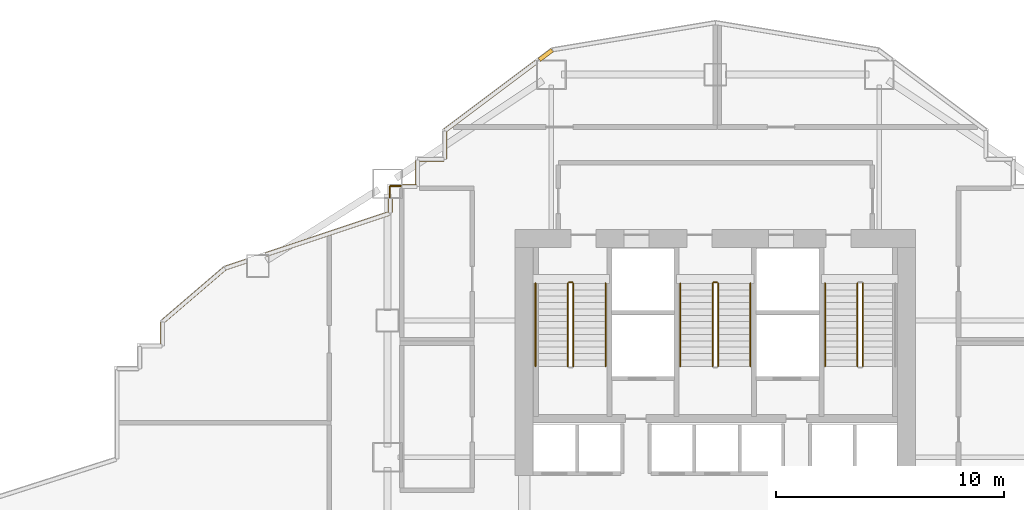
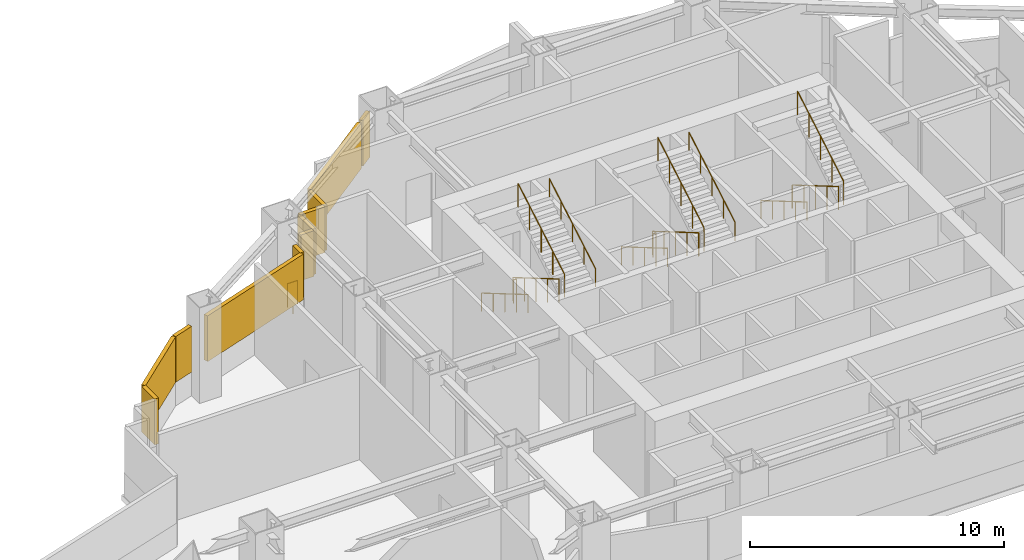
# One storey, part 10 of 12: 15 railings, 11 shading devices.
"""IFC4 building model written with IfcOpenShell, lengths in metres."""

from ifc_helpers import new_model, si_unit, direction, frame, origin, origin_2d, place, context, subcontext, project, spatial, rectangle, circle, extrude, material, type_object, element, save


model = new_model("IFC4")

# Units and contexts
model_context = context("Model", 3, precision=1e-05, world=origin(), true_north=direction((0.0, 1.0)))
body_context = subcontext(model_context, "Body", "Model", "MODEL_VIEW")
ifc_project = project(units=[si_unit("LENGTHUNIT", "METRE"), si_unit("AREAUNIT", "SQUARE_METRE"), si_unit("VOLUMEUNIT", "CUBIC_METRE"), si_unit("PLANEANGLEUNIT", "RADIAN"), si_unit("MASSUNIT", "GRAM", prefix="KILO")], contexts=[model_context])

# Site, building, storey
site_placement = place(None, origin())
site = spatial("IfcSite", under=ifc_project, at=site_placement, CompositionType="ELEMENT")
building_placement = place(site_placement, origin())
building = spatial("IfcBuilding", under=site, at=building_placement, Name="Haolan Belvedere Tower", CompositionType="ELEMENT")
storey_placement = place(building_placement, frame((0.0, 0.0, 43.0)))
storey = spatial("IfcBuildingStorey", under=building, at=storey_placement, Name="L10", CompositionType="ELEMENT", Elevation=43.0)

# Railings
ifc_material_1 = material(Name="Galvanised powder-coated steel guardrail", Category="steel")
railing_type_1 = type_object("IfcRailingType", Name="RL-REF-GRD-1150", PredefinedType="GUARDRAIL", material=ifc_material_1)
railing_1_placement = place(storey_placement, frame((24.090087890625, 45.010009765625, 0.0)))
element("IfcRailing", 1, at=railing_1_placement, inside=storey, type_object=railing_type_1, Name="L10 refuge corner safety guardrail 10A", PredefinedType="GUARDRAIL", context=body_context, shape_type="SweptSolid", body=[
    extrude(circle(Radius=0.02392578125, at=origin_2d()), frame((0.0, 0.0, 1.1259765625), z_axis=(0.0, 1.0, 0.0), x_axis=(-1.0, 0.0, 0.0)), (0.0, 0.0, 1.0), 0.469970703125),
    extrude(circle(Radius=0.02099609375, at=origin_2d()), origin(), (0.0, 0.0, 1.0), 1.101806640625),
    extrude(circle(Radius=0.02099609375, at=origin_2d()), frame((0.0, 0.469970703125, 0.0)), (0.0, 0.0, 1.0), 1.101806640625),
])
railing_2_placement = place(storey_placement, frame((24.1201171875, 45.510009765625, 0.0)))
element("IfcRailing", 2, at=railing_2_placement, inside=storey, type_object=railing_type_1, Name="L10 refuge corner safety guardrail 10B", PredefinedType="GUARDRAIL", context=body_context, shape_type="SweptSolid", body=[
    extrude(circle(Radius=0.02392578125, at=origin_2d()), frame((0.0, 0.0, 1.1259765625), z_axis=(1.0, 0.0, 0.0), x_axis=(0.0, 1.0, 0.0)), (0.0, 0.0, 1.0), 0.469970703125),
    extrude(circle(Radius=0.02099609375, at=origin_2d()), origin(), (0.0, 0.0, 1.0), 1.101806640625),
    extrude(circle(Radius=0.02099609375, at=origin_2d()), frame((0.469970703125, 0.0, 0.0)), (0.0, 0.0, 1.0), 1.101806640625),
])
ifc_material_2 = material(Name="Brushed stainless steel 304", Category="steel")
railing_type_2 = type_object("IfcRailingType", Name="RL-STAIR-GRD-1150", PredefinedType="GUARDRAIL", material=ifc_material_2)
railing_3_placement = place(storey_placement, frame((31.919921875, 41.22998046875, 0.164306640625)))
element("IfcRailing", 3, at=railing_3_placement, inside=storey, type_object=railing_type_2, Name="L10 ST1 stair guard 1", PredefinedType="GUARDRAIL", context=body_context, shape_type="SweptSolid", body=[
    extrude(circle(Radius=0.02392578125, at=origin_2d()), frame((0.0, 0.0, 1.1259765625), z_axis=(0.0, -0.862489892076, 0.506074289079), x_axis=(1.0, 0.0, 0.0)), (0.0, 0.0, 1.0), 4.22021484375),
    extrude(circle(Radius=0.02099609375, at=origin_2d()), origin(), (0.0, 0.0, 1.0), 1.101806640625),
    extrude(circle(Radius=0.02099609375, at=origin_2d()), frame((0.0, -0.909912109375, 0.533935546875)), (0.0, 0.0, 1.0), 1.101806640625),
    extrude(circle(Radius=0.02099609375, at=origin_2d()), frame((0.0, -1.81982421875, 1.06787109375)), (0.0, 0.0, 1.0), 1.101806640625),
    extrude(circle(Radius=0.02099609375, at=origin_2d()), frame((0.0, -2.72998046875, 1.601806640625)), (0.0, 0.0, 1.0), 1.101806640625),
    extrude(circle(Radius=0.02099609375, at=origin_2d()), frame((0.0, -3.639892578125, 2.1357421875)), (0.0, 0.0, 1.0), 1.101806640625),
])
railing_4_placement = place(storey_placement, frame((32.159912109375, 37.590087890625, 2.46435546875)))
element("IfcRailing", 4, at=railing_4_placement, inside=storey, type_object=railing_type_2, Name="L10 ST1 stair guard 3", PredefinedType="GUARDRAIL", context=body_context, shape_type="SweptSolid", body=[
    extrude(circle(Radius=0.02392578125, at=origin_2d()), frame((0.0, 0.0, 1.1259765625), z_axis=(0.0, 0.862489892076, 0.506074289079), x_axis=(-1.0, 0.0, 0.0)), (0.0, 0.0, 1.0), 4.22021484375),
    extrude(circle(Radius=0.02099609375, at=origin_2d()), origin(), (0.0, 0.0, 1.0), 1.101806640625),
    extrude(circle(Radius=0.02099609375, at=origin_2d()), frame((0.0, 0.909912109375, 0.533935546875)), (0.0, 0.0, 1.0), 1.101806640625),
    extrude(circle(Radius=0.02099609375, at=origin_2d()), frame((0.0, 1.81982421875, 1.06787109375)), (0.0, 0.0, 1.0), 1.101806640625),
    extrude(circle(Radius=0.02099609375, at=origin_2d()), frame((0.0, 2.72998046875, 1.601806640625)), (0.0, 0.0, 1.0), 1.101806640625),
    extrude(circle(Radius=0.02099609375, at=origin_2d()), frame((0.0, 3.639892578125, 2.1357421875)), (0.0, 0.0, 1.0), 1.101806640625),
])
railing_5_placement = place(storey_placement, frame((31.969970703125, 41.280029296875, 0.0)))
element("IfcRailing", 5, at=railing_5_placement, inside=storey, type_object=railing_type_2, Name="L10 ST1 stair guard 4", PredefinedType="GUARDRAIL", context=body_context, shape_type="SweptSolid", body=[
    extrude(circle(Radius=0.02392578125, at=origin_2d()), frame((0.0, 0.0, 1.1259765625), z_axis=(1.0, 0.0, 0.0), x_axis=(0.0, 1.0, 0.0)), (0.0, 0.0, 1.0), 0.14013671875),
    extrude(circle(Radius=0.02099609375, at=origin_2d()), origin(), (0.0, 0.0, 1.0), 1.101806640625),
    extrude(circle(Radius=0.02099609375, at=origin_2d()), frame((0.14013671875, 0.0, 0.0)), (0.0, 0.0, 1.0), 1.101806640625),
])
railing_6_placement = place(storey_placement, frame((38.280029296875, 41.22998046875, 0.164306640625)))
element("IfcRailing", 6, at=railing_6_placement, inside=storey, type_object=railing_type_2, Name="L10 ST3 stair guard 1", PredefinedType="GUARDRAIL", context=body_context, shape_type="SweptSolid", body=[
    extrude(circle(Radius=0.02392578125, at=origin_2d()), frame((0.0, 0.0, 1.1259765625), z_axis=(0.0, -0.862489892076, 0.506074289079), x_axis=(1.0, 0.0, 0.0)), (0.0, 0.0, 1.0), 4.22021484375),
    extrude(circle(Radius=0.02099609375, at=origin_2d()), origin(), (0.0, 0.0, 1.0), 1.101806640625),
    extrude(circle(Radius=0.02099609375, at=origin_2d()), frame((0.0, -0.909912109375, 0.533935546875)), (0.0, 0.0, 1.0), 1.101806640625),
    extrude(circle(Radius=0.02099609375, at=origin_2d()), frame((0.0, -1.81982421875, 1.06787109375)), (0.0, 0.0, 1.0), 1.101806640625),
    extrude(circle(Radius=0.02099609375, at=origin_2d()), frame((0.0, -2.72998046875, 1.601806640625)), (0.0, 0.0, 1.0), 1.101806640625),
    extrude(circle(Radius=0.02099609375, at=origin_2d()), frame((0.0, -3.639892578125, 2.1357421875)), (0.0, 0.0, 1.0), 1.101806640625),
])
railing_7_placement = place(storey_placement, frame((38.52001953125, 37.590087890625, 2.46435546875)))
element("IfcRailing", 7, at=railing_7_placement, inside=storey, type_object=railing_type_2, Name="L10 ST3 stair guard 3", PredefinedType="GUARDRAIL", context=body_context, shape_type="SweptSolid", body=[
    extrude(circle(Radius=0.02392578125, at=origin_2d()), frame((0.0, 0.0, 1.1259765625), z_axis=(0.0, 0.862489892076, 0.506074289079), x_axis=(-1.0, 0.0, 0.0)), (0.0, 0.0, 1.0), 4.22021484375),
    extrude(circle(Radius=0.02099609375, at=origin_2d()), origin(), (0.0, 0.0, 1.0), 1.101806640625),
    extrude(circle(Radius=0.02099609375, at=origin_2d()), frame((0.0, 0.909912109375, 0.533935546875)), (0.0, 0.0, 1.0), 1.101806640625),
    extrude(circle(Radius=0.02099609375, at=origin_2d()), frame((0.0, 1.81982421875, 1.06787109375)), (0.0, 0.0, 1.0), 1.101806640625),
    extrude(circle(Radius=0.02099609375, at=origin_2d()), frame((0.0, 2.72998046875, 1.601806640625)), (0.0, 0.0, 1.0), 1.101806640625),
    extrude(circle(Radius=0.02099609375, at=origin_2d()), frame((0.0, 3.639892578125, 2.1357421875)), (0.0, 0.0, 1.0), 1.101806640625),
])
railing_8_placement = place(storey_placement, frame((38.330078125, 41.280029296875, 0.0)))
element("IfcRailing", 8, at=railing_8_placement, inside=storey, type_object=railing_type_2, Name="L10 ST3 stair guard 4", PredefinedType="GUARDRAIL", context=body_context, shape_type="SweptSolid", body=[
    extrude(circle(Radius=0.02392578125, at=origin_2d()), frame((0.0, 0.0, 1.1259765625), z_axis=(1.0, 0.0, 0.0), x_axis=(0.0, 1.0, 0.0)), (0.0, 0.0, 1.0), 0.139892578125),
    extrude(circle(Radius=0.02099609375, at=origin_2d()), origin(), (0.0, 0.0, 1.0), 1.101806640625),
    extrude(circle(Radius=0.02099609375, at=origin_2d()), frame((0.139892578125, 0.0, 0.0)), (0.0, 0.0, 1.0), 1.101806640625),
])
railing_9_placement = place(storey_placement, frame((44.639892578125, 41.22998046875, 0.164306640625)))
element("IfcRailing", 9, at=railing_9_placement, inside=storey, type_object=railing_type_2, Name="L10 ST2 stair guard 1", PredefinedType="GUARDRAIL", context=body_context, shape_type="SweptSolid", body=[
    extrude(circle(Radius=0.02392578125, at=origin_2d()), frame((0.0, 0.0, 1.1259765625), z_axis=(0.0, -0.862489892076, 0.506074289079), x_axis=(1.0, 0.0, 0.0)), (0.0, 0.0, 1.0), 4.22021484375),
    extrude(circle(Radius=0.02099609375, at=origin_2d()), origin(), (0.0, 0.0, 1.0), 1.101806640625),
    extrude(circle(Radius=0.02099609375, at=origin_2d()), frame((0.0, -0.909912109375, 0.533935546875)), (0.0, 0.0, 1.0), 1.101806640625),
    extrude(circle(Radius=0.02099609375, at=origin_2d()), frame((0.0, -1.81982421875, 1.06787109375)), (0.0, 0.0, 1.0), 1.101806640625),
    extrude(circle(Radius=0.02099609375, at=origin_2d()), frame((0.0, -2.72998046875, 1.601806640625)), (0.0, 0.0, 1.0), 1.101806640625),
    extrude(circle(Radius=0.02099609375, at=origin_2d()), frame((0.0, -3.639892578125, 2.1357421875)), (0.0, 0.0, 1.0), 1.101806640625),
])
railing_10_placement = place(storey_placement, frame((44.8798828125, 37.590087890625, 2.46435546875)))
element("IfcRailing", 10, at=railing_10_placement, inside=storey, type_object=railing_type_2, Name="L10 ST2 stair guard 3", PredefinedType="GUARDRAIL", context=body_context, shape_type="SweptSolid", body=[
    extrude(circle(Radius=0.02392578125, at=origin_2d()), frame((0.0, 0.0, 1.1259765625), z_axis=(0.0, 0.862489892076, 0.506074289079), x_axis=(-1.0, 0.0, 0.0)), (0.0, 0.0, 1.0), 4.22021484375),
    extrude(circle(Radius=0.02099609375, at=origin_2d()), origin(), (0.0, 0.0, 1.0), 1.101806640625),
    extrude(circle(Radius=0.02099609375, at=origin_2d()), frame((0.0, 0.909912109375, 0.533935546875)), (0.0, 0.0, 1.0), 1.101806640625),
    extrude(circle(Radius=0.02099609375, at=origin_2d()), frame((0.0, 1.81982421875, 1.06787109375)), (0.0, 0.0, 1.0), 1.101806640625),
    extrude(circle(Radius=0.02099609375, at=origin_2d()), frame((0.0, 2.72998046875, 1.601806640625)), (0.0, 0.0, 1.0), 1.101806640625),
    extrude(circle(Radius=0.02099609375, at=origin_2d()), frame((0.0, 3.639892578125, 2.1357421875)), (0.0, 0.0, 1.0), 1.101806640625),
])
railing_type_3 = type_object("IfcRailingType", Name="RL-STAIR-HND-900", PredefinedType="HANDRAIL", material=ifc_material_2)
railing_11_placement = place(storey_placement, frame((30.5, 41.22998046875, 0.164306640625)))
element("IfcRailing", 11, at=railing_11_placement, inside=storey, type_object=railing_type_3, Name="L10 ST1 stair handrail 1", PredefinedType="HANDRAIL", context=body_context, shape_type="SweptSolid", body=[
    extrude(circle(Radius=0.02392578125, at=origin_2d()), frame((0.0, 0.0, 0.8759765625), z_axis=(0.0, -0.862489892076, 0.506074289079), x_axis=(1.0, 0.0, 0.0)), (0.0, 0.0, 1.0), 4.22021484375),
    extrude(circle(Radius=0.02099609375, at=origin_2d()), origin(), (0.0, 0.0, 1.0), 0.851806640625),
    extrude(circle(Radius=0.02099609375, at=origin_2d()), frame((0.0, -0.909912109375, 0.533935546875)), (0.0, 0.0, 1.0), 0.851806640625),
    extrude(circle(Radius=0.02099609375, at=origin_2d()), frame((0.0, -1.81982421875, 1.06787109375)), (0.0, 0.0, 1.0), 0.851806640625),
    extrude(circle(Radius=0.02099609375, at=origin_2d()), frame((0.0, -2.72998046875, 1.601806640625)), (0.0, 0.0, 1.0), 0.851806640625),
    extrude(circle(Radius=0.02099609375, at=origin_2d()), frame((0.0, -3.639892578125, 2.1357421875)), (0.0, 0.0, 1.0), 0.851806640625),
])
railing_12_placement = place(storey_placement, frame((33.580078125, 37.590087890625, 2.46435546875)))
element("IfcRailing", 12, at=railing_12_placement, inside=storey, type_object=railing_type_3, Name="L10 ST1 stair handrail 2", PredefinedType="HANDRAIL", context=body_context, shape_type="SweptSolid", body=[
    extrude(circle(Radius=0.02392578125, at=origin_2d()), frame((0.0, 0.0, 0.8759765625), z_axis=(0.0, 0.862489892076, 0.506074289079), x_axis=(-1.0, 0.0, 0.0)), (0.0, 0.0, 1.0), 4.22021484375),
    extrude(circle(Radius=0.02099609375, at=origin_2d()), origin(), (0.0, 0.0, 1.0), 0.851806640625),
    extrude(circle(Radius=0.02099609375, at=origin_2d()), frame((0.0, 0.909912109375, 0.533935546875)), (0.0, 0.0, 1.0), 0.851806640625),
    extrude(circle(Radius=0.02099609375, at=origin_2d()), frame((0.0, 1.81982421875, 1.06787109375)), (0.0, 0.0, 1.0), 0.851806640625),
    extrude(circle(Radius=0.02099609375, at=origin_2d()), frame((0.0, 2.72998046875, 1.601806640625)), (0.0, 0.0, 1.0), 0.851806640625),
    extrude(circle(Radius=0.02099609375, at=origin_2d()), frame((0.0, 3.639892578125, 2.1357421875)), (0.0, 0.0, 1.0), 0.851806640625),
])
railing_13_placement = place(storey_placement, frame((36.860107421875, 41.22998046875, 0.164306640625)))
element("IfcRailing", 13, at=railing_13_placement, inside=storey, type_object=railing_type_3, Name="L10 ST3 stair handrail 1", PredefinedType="HANDRAIL", context=body_context, shape_type="SweptSolid", body=[
    extrude(circle(Radius=0.02392578125, at=origin_2d()), frame((0.0, 0.0, 0.8759765625), z_axis=(0.0, -0.862489892076, 0.506074289079), x_axis=(1.0, 0.0, 0.0)), (0.0, 0.0, 1.0), 4.22021484375),
    extrude(circle(Radius=0.02099609375, at=origin_2d()), origin(), (0.0, 0.0, 1.0), 0.851806640625),
    extrude(circle(Radius=0.02099609375, at=origin_2d()), frame((0.0, -0.909912109375, 0.533935546875)), (0.0, 0.0, 1.0), 0.851806640625),
    extrude(circle(Radius=0.02099609375, at=origin_2d()), frame((0.0, -1.81982421875, 1.06787109375)), (0.0, 0.0, 1.0), 0.851806640625),
    extrude(circle(Radius=0.02099609375, at=origin_2d()), frame((0.0, -2.72998046875, 1.601806640625)), (0.0, 0.0, 1.0), 0.851806640625),
    extrude(circle(Radius=0.02099609375, at=origin_2d()), frame((0.0, -3.639892578125, 2.1357421875)), (0.0, 0.0, 1.0), 0.851806640625),
])
railing_14_placement = place(storey_placement, frame((39.93994140625, 37.590087890625, 2.46435546875)))
element("IfcRailing", 14, at=railing_14_placement, inside=storey, type_object=railing_type_3, Name="L10 ST3 stair handrail 2", PredefinedType="HANDRAIL", context=body_context, shape_type="SweptSolid", body=[
    extrude(circle(Radius=0.02392578125, at=origin_2d()), frame((0.0, 0.0, 0.8759765625), z_axis=(0.0, 0.862489892076, 0.506074289079), x_axis=(-1.0, 0.0, 0.0)), (0.0, 0.0, 1.0), 4.22021484375),
    extrude(circle(Radius=0.02099609375, at=origin_2d()), origin(), (0.0, 0.0, 1.0), 0.851806640625),
    extrude(circle(Radius=0.02099609375, at=origin_2d()), frame((0.0, 0.909912109375, 0.533935546875)), (0.0, 0.0, 1.0), 0.851806640625),
    extrude(circle(Radius=0.02099609375, at=origin_2d()), frame((0.0, 1.81982421875, 1.06787109375)), (0.0, 0.0, 1.0), 0.851806640625),
    extrude(circle(Radius=0.02099609375, at=origin_2d()), frame((0.0, 2.72998046875, 1.601806640625)), (0.0, 0.0, 1.0), 0.851806640625),
    extrude(circle(Radius=0.02099609375, at=origin_2d()), frame((0.0, 3.639892578125, 2.1357421875)), (0.0, 0.0, 1.0), 0.851806640625),
])
railing_15_placement = place(storey_placement, frame((43.219970703125, 41.22998046875, 0.164306640625)))
element("IfcRailing", 15, at=railing_15_placement, inside=storey, type_object=railing_type_3, Name="L10 ST2 stair handrail 1", PredefinedType="HANDRAIL", context=body_context, shape_type="SweptSolid", body=[
    extrude(circle(Radius=0.02392578125, at=origin_2d()), frame((0.0, 0.0, 0.8759765625), z_axis=(0.0, -0.862489892076, 0.506074289079), x_axis=(1.0, 0.0, 0.0)), (0.0, 0.0, 1.0), 4.22021484375),
    extrude(circle(Radius=0.02099609375, at=origin_2d()), origin(), (0.0, 0.0, 1.0), 0.851806640625),
    extrude(circle(Radius=0.02099609375, at=origin_2d()), frame((0.0, -0.909912109375, 0.533935546875)), (0.0, 0.0, 1.0), 0.851806640625),
    extrude(circle(Radius=0.02099609375, at=origin_2d()), frame((0.0, -1.81982421875, 1.06787109375)), (0.0, 0.0, 1.0), 0.851806640625),
    extrude(circle(Radius=0.02099609375, at=origin_2d()), frame((0.0, -2.72998046875, 1.601806640625)), (0.0, 0.0, 1.0), 0.851806640625),
    extrude(circle(Radius=0.02099609375, at=origin_2d()), frame((0.0, -3.639892578125, 2.1357421875)), (0.0, 0.0, 1.0), 0.851806640625),
])

# Shading devices
ifc_material_3 = material(Name="Anodised champagne-silver aluminium 6063-T6", Category="aluminium")
shading_device_type = type_object("IfcShadingDeviceType", Name="SHD-LOUV-180", PredefinedType="JALOUSIE", material=ifc_material_3)
shading_device_1_placement = place(storey_placement, frame((30.952392578125, 51.26416015625, 1.14990234375), z_axis=(0.0, 0.0, 1.0), x_axis=(-0.799988456026, -0.600015391657, 0.0)))
element("IfcShadingDevice", 16, at=shading_device_1_placement, inside=storey, type_object=shading_device_type, Name="L10 refuge storm-proof louvre bank 44.1", PredefinedType="JALOUSIE", context=body_context, shape_type="SweptSolid", body=[
    extrude(rectangle(XDim=0.70068359375, YDim=0.179931640625, at=origin_2d()), origin(), (0.0, 0.0, 1.0), 2.199951171875),
])
shading_device_2_placement = place(storey_placement, frame((28.5390625, 49.454345703125, 1.14990234375), z_axis=(0.0, 0.0, 1.0), x_axis=(-0.799998928149, -0.600001429133, 0.0)))
element("IfcShadingDevice", 17, at=shading_device_2_placement, inside=storey, type_object=shading_device_type, Name="L10 refuge storm-proof louvre bank 44.2", PredefinedType="JALOUSIE", context=body_context, shape_type="SweptSolid", body=[
    extrude(rectangle(XDim=5.007568359375, YDim=0.179931640625, at=origin_2d()), origin(), (0.0, 0.0, 1.0), 2.199951171875),
])
shading_device_3_placement = place(storey_placement, frame((26.52001953125, 47.302490234375, 1.14990234375), z_axis=(0.0, 0.0, 1.0), x_axis=(0.0, -1.0, 0.0)))
element("IfcShadingDevice", 18, at=shading_device_3_placement, inside=storey, type_object=shading_device_type, Name="L10 refuge storm-proof louvre bank 45.1", PredefinedType="JALOUSIE", context=body_context, shape_type="SweptSolid", body=[
    extrude(rectangle(XDim=1.205078125, YDim=0.179931640625, at=origin_2d()), origin(), (0.0, 0.0, 1.0), 2.199951171875),
])
for number, where, z_axis, x_axis, name in (
    (19, (25.905029296875, 46.679931640625, 1.14990234375), (0.0, 0.0, 1.0), (-1.0, 0.0, 0.0), "L10 refuge storm-proof louvre bank 46.1"),
    (20, (25.320068359375, 46.06494140625, 1.14990234375), (0.0, 0.0, 1.0), (0.0, -1.0, 0.0), "L10 refuge storm-proof louvre bank 47.1"),
):
    element("IfcShadingDevice", number, at=place(storey_placement, frame(where, z_axis=z_axis, x_axis=x_axis)), inside=storey, type_object=shading_device_type, Name=name, PredefinedType="JALOUSIE", context=body_context, shape_type="SweptSolid", body=[
        extrude(rectangle(XDim=1.1298828125, YDim=0.179931640625, at=origin_2d()), origin(), (0.0, 0.0, 1.0), 2.199951171875),
    ])
shading_device_4_placement = place(storey_placement, frame((24.966064453125, 45.47998046875, 1.14990234375), z_axis=(0.0, 0.0, 1.0), x_axis=(-1.0, 0.0, 0.0)))
element("IfcShadingDevice", 21, at=shading_device_4_placement, inside=storey, type_object=shading_device_type, Name="L10 refuge storm-proof louvre bank 48.1", PredefinedType="JALOUSIE", context=body_context, shape_type="SweptSolid", body=[
    extrude(rectangle(XDim=0.60791015625, YDim=0.179931640625, at=origin_2d()), origin(), (0.0, 0.0, 1.0), 2.199951171875),
])
shading_device_5_placement = place(storey_placement, frame((24.1201171875, 44.6357421875, 1.14990234375), z_axis=(0.0, 0.0, 1.0), x_axis=(0.0, -1.0, 0.0)))
element("IfcShadingDevice", 22, at=shading_device_5_placement, inside=storey, type_object=shading_device_type, Name="L10 refuge storm-proof louvre bank 49.1", PredefinedType="JALOUSIE", context=body_context, shape_type="SweptSolid", body=[
    extrude(rectangle(XDim=0.6044921875, YDim=0.179931640625, at=origin_2d()), origin(), (0.0, 0.0, 1.0), 2.199951171875),
])
shading_device_6_placement = place(storey_placement, frame((21.373291015625, 43.39794921875, 1.14990234375), z_axis=(0.0, 0.0, 1.0), x_axis=(-0.948683015593, -0.316228613389, 0.0)))
element("IfcShadingDevice", 23, at=shading_device_6_placement, inside=storey, type_object=shading_device_type, Name="L10 refuge storm-proof louvre bank 50.1", PredefinedType="JALOUSIE", context=body_context, shape_type="SweptSolid", body=[
    extrude(rectangle(XDim=5.690185546875, YDim=0.179931640625, at=origin_2d()), origin(), (0.0, 0.0, 1.0), 2.199951171875),
])
shading_device_7_placement = place(storey_placement, frame((17.333984375, 42.051513671875, 1.14990234375), z_axis=(0.0, 0.0, 1.0), x_axis=(-0.948694053476, -0.316195497912, 0.0)))
element("IfcShadingDevice", 24, at=shading_device_7_placement, inside=storey, type_object=shading_device_type, Name="L10 refuge storm-proof louvre bank 50.2", PredefinedType="JALOUSIE", context=body_context, shape_type="SweptSolid", body=[
    extrude(rectangle(XDim=0.958984375, YDim=0.179931640625, at=origin_2d()), origin(), (0.0, 0.0, 1.0), 2.199951171875),
])
shading_device_8_placement = place(storey_placement, frame((15.489990234375, 40.71923828125, 1.14990234375), z_axis=(0.0, 0.0, 1.0), x_axis=(-0.759248590567, -0.650800720438, 0.0)))
element("IfcShadingDevice", 25, at=shading_device_8_placement, inside=storey, type_object=shading_device_type, Name="L10 refuge storm-proof louvre bank 51.1", PredefinedType="JALOUSIE", context=body_context, shape_type="SweptSolid", body=[
    extrude(rectangle(XDim=3.569091796875, YDim=0.179931640625, at=origin_2d()), origin(), (0.0, 0.0, 1.0), 2.199951171875),
])
shading_device_9_placement = place(storey_placement, frame((14.1201171875, 39.012451171875, 1.14990234375), z_axis=(0.0, 0.0, 1.0), x_axis=(0.0, -1.0, 0.0)))
element("IfcShadingDevice", 26, at=shading_device_9_placement, inside=storey, type_object=shading_device_type, Name="L10 refuge storm-proof louvre bank 52.1", PredefinedType="JALOUSIE", context=body_context, shape_type="SweptSolid", body=[
    extrude(rectangle(XDim=1.02490234375, YDim=0.179931640625, at=origin_2d()), origin(), (0.0, 0.0, 1.0), 2.199951171875),
])

save(model, "model.ifc")
